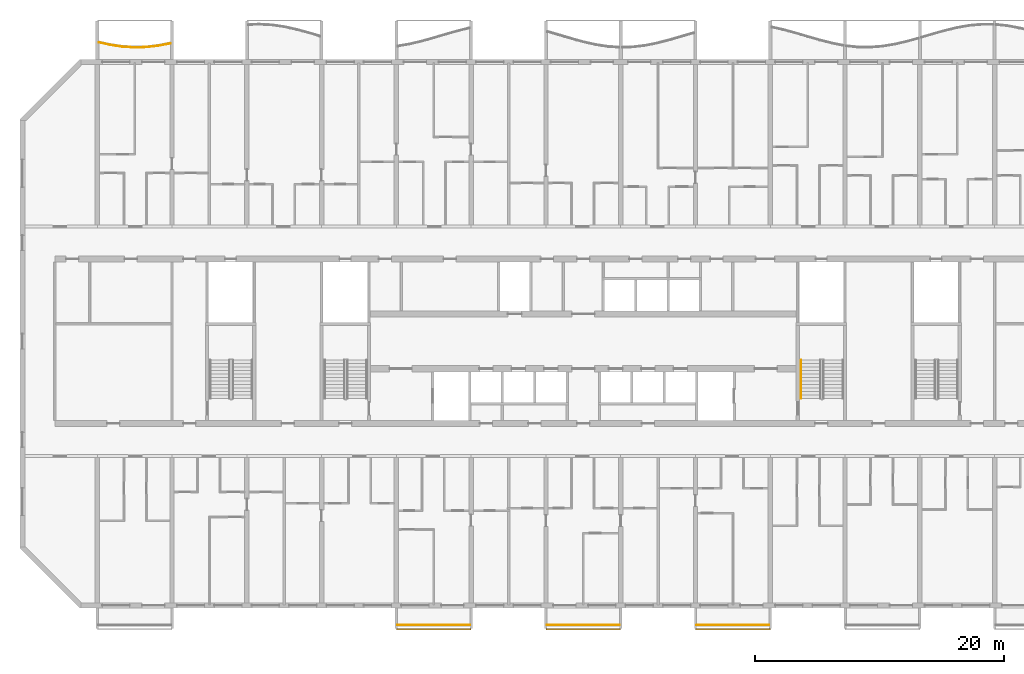
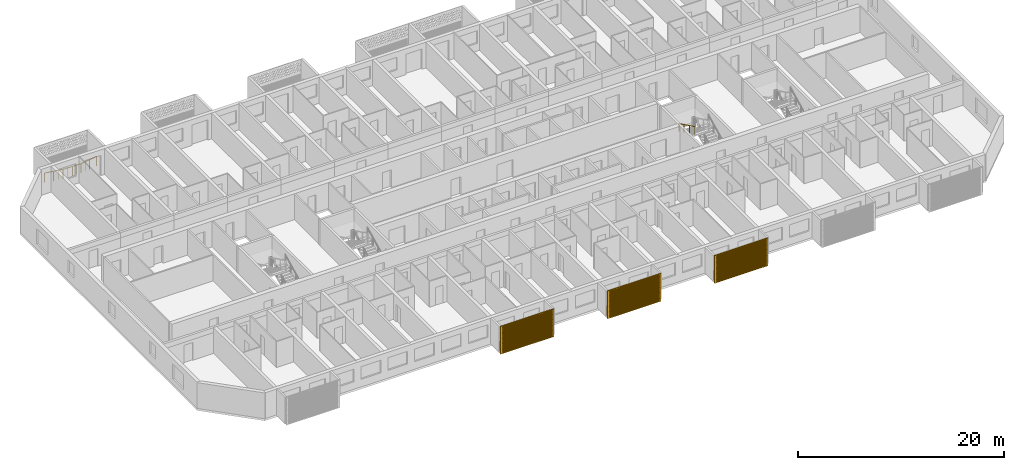
# One storey, part 18 of 26: 5 railings, 3 shading devices.
"""IFC4 building model written with IfcOpenShell, lengths in metres."""

from ifc_helpers import new_model, si_unit, direction, frame, origin, origin_2d, place, context, subcontext, project, spatial, polyline, circle, outline, extrude, source, transform, mapped, material, material_profile, profile_set, type_object, element, save


model = new_model("IFC4")

# Units and contexts
model_context = context("Model", 3, precision=1e-05, world=origin(), true_north=direction((0.0, 1.0)))
body_context = subcontext(model_context, "Body", "Model", "MODEL_VIEW")
ifc_project = project(units=[si_unit("LENGTHUNIT", "METRE"), si_unit("AREAUNIT", "SQUARE_METRE"), si_unit("VOLUMEUNIT", "CUBIC_METRE"), si_unit("PLANEANGLEUNIT", "RADIAN"), si_unit("MASSUNIT", "GRAM", prefix="KILO")], contexts=[model_context])

# Site, building, storey
site_placement = place(None, origin())
site = spatial("IfcSite", under=ifc_project, at=site_placement, CompositionType="ELEMENT")
building_placement = place(site_placement, origin())
building = spatial("IfcBuilding", under=site, at=building_placement, Name="Poui Terraces", CompositionType="ELEMENT")
storey_placement = place(building_placement, frame((0.0, 0.0, 96.0)))
storey = spatial("IfcBuildingStorey", under=building, at=storey_placement, Name="L26", CompositionType="ELEMENT", Elevation=96.0)

# Railings
ifc_material_1 = material(Name="Painted steel fretwork", Category="steel")
railing_type_1 = type_object("IfcRailingType", Name="BALCONY GUARD 1100", PredefinedType="GUARDRAIL", material=ifc_material_1)
railing_1_placement = place(storey_placement, frame((12.125, 45.1796875, 0.0)))
element("IfcRailing", 1, at=railing_1_placement, inside=storey, type_object=railing_type_1, Name="BALCONY GUARD", PredefinedType="GUARDRAIL", context=body_context, shape_type="SweptSolid", body=[
    extrude(circle(Radius=0.02392578125, at=origin_2d()), frame((0.0, 0.0, 1.076171875), z_axis=(0.976442797021, -0.215776421663, 0.0), x_axis=(0.215776421663, 0.976442797021, 0.0)), (0.0, 0.0, 1.0), 0.89599609375),
    extrude(circle(Radius=0.02392578125, at=origin_2d()), frame((0.875, -0.193359375, 1.076171875), z_axis=(0.988701415616, -0.149898334741, 0.0), x_axis=(0.149898334741, 0.988701415616, 0.0)), (0.0, 0.0, 1.0), 1.011474609375),
    extrude(circle(Radius=0.02392578125, at=origin_2d()), frame((1.875, -0.344970703125, 1.076171875), z_axis=(0.997991430779, -0.06334906543, 0.0), x_axis=(0.06334906543, 0.997991430779, 0.0)), (0.0, 0.0, 1.0), 1.001953125),
    extrude(circle(Radius=0.02392578125, at=origin_2d()), frame((2.875, -0.408447265625, 1.076171875), z_axis=(0.999496720941, 0.031722308038, 0.0), x_axis=(-0.031722308038, 0.999496720941, 0.0)), (0.0, 0.0, 1.0), 1.00048828125),
    extrude(circle(Radius=0.02392578125, at=origin_2d()), frame((3.875, -0.376708984375, 1.076171875), z_axis=(0.992426262271, 0.122841824944, 0.0), x_axis=(-0.122841824944, 0.992426262271, 0.0)), (0.0, 0.0, 1.0), 1.007568359375),
    extrude(circle(Radius=0.02392578125, at=origin_2d()), frame((4.875, -0.2529296875, 1.076171875), z_axis=(0.980884751127, 0.19458958093, 0.0), x_axis=(-0.19458958093, 0.980884751127, 0.0)), (0.0, 0.0, 1.0), 0.89208984375),
    extrude(circle(Radius=0.02099609375, at=origin_2d()), origin(), (0.0, 0.0, 1.0), 1.052001953125),
    extrude(circle(Radius=0.02099609375, at=origin_2d()), frame((0.875, -0.193359375, 0.0)), (0.0, 0.0, 1.0), 1.052001953125),
    extrude(circle(Radius=0.02099609375, at=origin_2d()), frame((1.375, -0.26904296875, 0.0)), (0.0, 0.0, 1.0), 1.052001953125),
    extrude(circle(Radius=0.02099609375, at=origin_2d()), frame((1.875, -0.344970703125, 0.0)), (0.0, 0.0, 1.0), 1.052001953125),
    extrude(circle(Radius=0.02099609375, at=origin_2d()), frame((2.375, -0.376708984375, 0.0)), (0.0, 0.0, 1.0), 1.052001953125),
    extrude(circle(Radius=0.02099609375, at=origin_2d()), frame((2.875, -0.408447265625, 0.0)), (0.0, 0.0, 1.0), 1.052001953125),
    extrude(circle(Radius=0.02099609375, at=origin_2d()), frame((3.375, -0.392578125, 0.0)), (0.0, 0.0, 1.0), 1.052001953125),
    extrude(circle(Radius=0.02099609375, at=origin_2d()), frame((3.875, -0.376708984375, 0.0)), (0.0, 0.0, 1.0), 1.052001953125),
    extrude(circle(Radius=0.02099609375, at=origin_2d()), frame((4.375, -0.31494140625, 0.0)), (0.0, 0.0, 1.0), 1.052001953125),
    extrude(circle(Radius=0.02099609375, at=origin_2d()), frame((4.875, -0.2529296875, 0.0)), (0.0, 0.0, 1.0), 1.052001953125),
    extrude(circle(Radius=0.02099609375, at=origin_2d()), frame((5.75, -0.079345703125, 0.0)), (0.0, 0.0, 1.0), 1.052001953125),
])
for number, where, name in (
    (2, (36.10009765625, -1.570068359375, 0.0), "BALCONY GUARD"),
    (3, (48.10009765625, -1.570068359375, 0.0), "BALCONY GUARD"),
    (4, (60.10009765625, -1.570068359375, 0.0), "BALCONY GUARD"),
):
    element("IfcRailing", number, at=place(storey_placement, frame(where)), inside=storey, type_object=railing_type_1, Name=name, PredefinedType="GUARDRAIL", context=body_context, shape_type="SweptSolid", body=[
        extrude(circle(Radius=0.02392578125, at=origin_2d()), frame((0.0, 0.0, 1.076171875), z_axis=(1.0, 0.0, 0.0), x_axis=(0.0, 1.0, 0.0)), (0.0, 0.0, 1.0), 5.7998046875),
        extrude(circle(Radius=0.02099609375, at=origin_2d()), origin(), (0.0, 0.0, 1.0), 1.052001953125),
        extrude(circle(Radius=0.02099609375, at=origin_2d()), frame((0.966552734375, 0.0, 0.0)), (0.0, 0.0, 1.0), 1.052001953125),
        extrude(circle(Radius=0.02099609375, at=origin_2d()), frame((1.933349609375, 0.0, 0.0)), (0.0, 0.0, 1.0), 1.052001953125),
        extrude(circle(Radius=0.02099609375, at=origin_2d()), frame((2.89990234375, 0.0, 0.0)), (0.0, 0.0, 1.0), 1.052001953125),
        extrude(circle(Radius=0.02099609375, at=origin_2d()), frame((3.866455078125, 0.0, 0.0)), (0.0, 0.0, 1.0), 1.052001953125),
        extrude(circle(Radius=0.02099609375, at=origin_2d()), frame((4.833251953125, 0.0, 0.0)), (0.0, 0.0, 1.0), 1.052001953125),
        extrude(circle(Radius=0.02099609375, at=origin_2d()), frame((5.7998046875, 0.0, 0.0)), (0.0, 0.0, 1.0), 1.052001953125),
    ])
ifc_material_2 = material(Name="Stainless steel handrail", Category="steel")
railing_type_2 = type_object("IfcRailingType", Name="STAIR HANDRAIL 900", PredefinedType="HANDRAIL", material=ifc_material_2)
railing_2_placement = place(storey_placement, frame((68.47509765625, 19.679931640625, 1.78759765625)))
element("IfcRailing", 5, at=railing_2_placement, inside=storey, type_object=railing_type_2, Name="L26 ST-CE stair handrail 2", PredefinedType="HANDRAIL", context=body_context, shape_type="SweptSolid", body=[
    extrude(circle(Radius=0.02392578125, at=origin_2d()), frame((0.0, 0.0, 0.8759765625), z_axis=(0.0, -0.897606190399, 0.440798283751), x_axis=(1.0, 0.0, 0.0)), (0.0, 0.0, 1.0), 3.43115234375),
    extrude(circle(Radius=0.02099609375, at=origin_2d()), origin(), (0.0, 0.0, 1.0), 0.851806640625),
    extrude(circle(Radius=0.02099609375, at=origin_2d()), frame((0.0, -1.026611328125, 0.504150390625)), (0.0, 0.0, 1.0), 0.851806640625),
    extrude(circle(Radius=0.02099609375, at=origin_2d()), frame((0.0, -2.05322265625, 1.00830078125)), (0.0, 0.0, 1.0), 0.851806640625),
    extrude(circle(Radius=0.02099609375, at=origin_2d()), frame((0.0, -3.079833984375, 1.512451171875)), (0.0, 0.0, 1.0), 0.851806640625),
])

# Shading devices
ifc_material_3 = material(Name="Aluminium louvre", Category="aluminium")
ifc_material_profile = material_profile(ifc_material_3, outline(polyline([(-3.0, -1.64990234375), (3.0, -1.64990234375), (3.0, 1.64990234375), (-3.0, 1.64990234375), (-3.0, -1.64990234375)]), holes=[polyline([(-2.800048828125, -1.530029296875), (2.800048828125, -1.530029296875), (2.800048828125, -1.469970703125), (-2.800048828125, -1.469970703125), (-2.800048828125, -1.530029296875)]), polyline([(-2.800048828125, -1.429931640625), (2.800048828125, -1.429931640625), (2.800048828125, -1.3701171875), (-2.800048828125, -1.3701171875), (-2.800048828125, -1.429931640625)]), polyline([(-2.800048828125, -1.330078125), (2.800048828125, -1.330078125), (2.800048828125, -1.27001953125), (-2.800048828125, -1.27001953125), (-2.800048828125, -1.330078125)]), polyline([(-2.800048828125, -1.22998046875), (2.800048828125, -1.22998046875), (2.800048828125, -1.169921875), (-2.800048828125, -1.169921875), (-2.800048828125, -1.22998046875)]), polyline([(-2.800048828125, -1.1298828125), (2.800048828125, -1.1298828125), (2.800048828125, -1.070068359375), (-2.800048828125, -1.070068359375), (-2.800048828125, -1.1298828125)]), polyline([(-2.800048828125, -1.030029296875), (2.800048828125, -1.030029296875), (2.800048828125, -0.969970703125), (-2.800048828125, -0.969970703125), (-2.800048828125, -1.030029296875)]), polyline([(-2.800048828125, -0.929931640625), (2.800048828125, -0.929931640625), (2.800048828125, -0.8701171875), (-2.800048828125, -0.8701171875), (-2.800048828125, -0.929931640625)]), polyline([(-2.800048828125, -0.830078125), (2.800048828125, -0.830078125), (2.800048828125, -0.77001953125), (-2.800048828125, -0.77001953125), (-2.800048828125, -0.830078125)]), polyline([(-2.800048828125, -0.72998046875), (2.800048828125, -0.72998046875), (2.800048828125, -0.669921875), (-2.800048828125, -0.669921875), (-2.800048828125, -0.72998046875)]), polyline([(-2.800048828125, -0.6298828125), (2.800048828125, -0.6298828125), (2.800048828125, -0.570068359375), (-2.800048828125, -0.570068359375), (-2.800048828125, -0.6298828125)]), polyline([(-2.800048828125, -0.530029296875), (2.800048828125, -0.530029296875), (2.800048828125, -0.469970703125), (-2.800048828125, -0.469970703125), (-2.800048828125, -0.530029296875)]), polyline([(-2.800048828125, -0.429931640625), (2.800048828125, -0.429931640625), (2.800048828125, -0.3701171875), (-2.800048828125, -0.3701171875), (-2.800048828125, -0.429931640625)]), polyline([(-2.800048828125, -0.330078125), (2.800048828125, -0.330078125), (2.800048828125, -0.27001953125), (-2.800048828125, -0.27001953125), (-2.800048828125, -0.330078125)]), polyline([(-2.800048828125, -0.22998046875), (2.800048828125, -0.22998046875), (2.800048828125, -0.169921875), (-2.800048828125, -0.169921875), (-2.800048828125, -0.22998046875)]), polyline([(-2.800048828125, -0.1298828125), (2.800048828125, -0.1298828125), (2.800048828125, -0.070068359375), (-2.800048828125, -0.070068359375), (-2.800048828125, -0.1298828125)]), polyline([(-2.800048828125, -0.030029296875), (2.800048828125, -0.030029296875), (2.800048828125, 0.030029296875), (-2.800048828125, 0.030029296875), (-2.800048828125, -0.030029296875)]), polyline([(-2.800048828125, 0.070068359375), (2.800048828125, 0.070068359375), (2.800048828125, 0.1298828125), (-2.800048828125, 0.1298828125), (-2.800048828125, 0.070068359375)]), polyline([(-2.800048828125, 0.169921875), (2.800048828125, 0.169921875), (2.800048828125, 0.22998046875), (-2.800048828125, 0.22998046875), (-2.800048828125, 0.169921875)]), polyline([(-2.800048828125, 0.27001953125), (2.800048828125, 0.27001953125), (2.800048828125, 0.330078125), (-2.800048828125, 0.330078125), (-2.800048828125, 0.27001953125)]), polyline([(-2.800048828125, 0.3701171875), (2.800048828125, 0.3701171875), (2.800048828125, 0.429931640625), (-2.800048828125, 0.429931640625), (-2.800048828125, 0.3701171875)]), polyline([(-2.800048828125, 0.469970703125), (2.800048828125, 0.469970703125), (2.800048828125, 0.530029296875), (-2.800048828125, 0.530029296875), (-2.800048828125, 0.469970703125)]), polyline([(-2.800048828125, 0.570068359375), (2.800048828125, 0.570068359375), (2.800048828125, 0.6298828125), (-2.800048828125, 0.6298828125), (-2.800048828125, 0.570068359375)]), polyline([(-2.800048828125, 0.669921875), (2.800048828125, 0.669921875), (2.800048828125, 0.72998046875), (-2.800048828125, 0.72998046875), (-2.800048828125, 0.669921875)]), polyline([(-2.800048828125, 0.77001953125), (2.800048828125, 0.77001953125), (2.800048828125, 0.830078125), (-2.800048828125, 0.830078125), (-2.800048828125, 0.77001953125)]), polyline([(-2.800048828125, 0.8701171875), (2.800048828125, 0.8701171875), (2.800048828125, 0.929931640625), (-2.800048828125, 0.929931640625), (-2.800048828125, 0.8701171875)]), polyline([(-2.800048828125, 0.969970703125), (2.800048828125, 0.969970703125), (2.800048828125, 1.030029296875), (-2.800048828125, 1.030029296875), (-2.800048828125, 0.969970703125)]), polyline([(-2.800048828125, 1.070068359375), (2.800048828125, 1.070068359375), (2.800048828125, 1.1298828125), (-2.800048828125, 1.1298828125), (-2.800048828125, 1.070068359375)]), polyline([(-2.800048828125, 1.169921875), (2.800048828125, 1.169921875), (2.800048828125, 1.22998046875), (-2.800048828125, 1.22998046875), (-2.800048828125, 1.169921875)]), polyline([(-2.800048828125, 1.27001953125), (2.800048828125, 1.27001953125), (2.800048828125, 1.330078125), (-2.800048828125, 1.330078125), (-2.800048828125, 1.27001953125)]), polyline([(-2.800048828125, 1.3701171875), (2.800048828125, 1.3701171875), (2.800048828125, 1.429931640625), (-2.800048828125, 1.429931640625), (-2.800048828125, 1.3701171875)]), polyline([(-2.800048828125, 1.469970703125), (2.800048828125, 1.469970703125), (2.800048828125, 1.530029296875), (-2.800048828125, 1.530029296875), (-2.800048828125, 1.469970703125)])]), Name="JALOUSIE LOUVRE SHUTTER 6000X3300")
ifc_profile_set = profile_set([ifc_material_profile], Name="Aluminium louvre")
shading_device_type = type_object("IfcShadingDeviceType", Name="JALOUSIE LOUVRE SHUTTER 6000X3300", PredefinedType="JALOUSIE", material=ifc_profile_set)
shared_shape = source(origin(), body_context, "Body", "SweptSolid", [
    extrude(outline(polyline([(-3.0, -1.64990234375), (3.0, -1.64990234375), (3.0, 1.64990234375), (-3.0, 1.64990234375), (-3.0, -1.64990234375)]), holes=[polyline([(-2.800048828125, -1.530029296875), (2.800048828125, -1.530029296875), (2.800048828125, -1.469970703125), (-2.800048828125, -1.469970703125), (-2.800048828125, -1.530029296875)]), polyline([(-2.800048828125, -1.429931640625), (2.800048828125, -1.429931640625), (2.800048828125, -1.3701171875), (-2.800048828125, -1.3701171875), (-2.800048828125, -1.429931640625)]), polyline([(-2.800048828125, -1.330078125), (2.800048828125, -1.330078125), (2.800048828125, -1.27001953125), (-2.800048828125, -1.27001953125), (-2.800048828125, -1.330078125)]), polyline([(-2.800048828125, -1.22998046875), (2.800048828125, -1.22998046875), (2.800048828125, -1.169921875), (-2.800048828125, -1.169921875), (-2.800048828125, -1.22998046875)]), polyline([(-2.800048828125, -1.1298828125), (2.800048828125, -1.1298828125), (2.800048828125, -1.070068359375), (-2.800048828125, -1.070068359375), (-2.800048828125, -1.1298828125)]), polyline([(-2.800048828125, -1.030029296875), (2.800048828125, -1.030029296875), (2.800048828125, -0.969970703125), (-2.800048828125, -0.969970703125), (-2.800048828125, -1.030029296875)]), polyline([(-2.800048828125, -0.929931640625), (2.800048828125, -0.929931640625), (2.800048828125, -0.8701171875), (-2.800048828125, -0.8701171875), (-2.800048828125, -0.929931640625)]), polyline([(-2.800048828125, -0.830078125), (2.800048828125, -0.830078125), (2.800048828125, -0.77001953125), (-2.800048828125, -0.77001953125), (-2.800048828125, -0.830078125)]), polyline([(-2.800048828125, -0.72998046875), (2.800048828125, -0.72998046875), (2.800048828125, -0.669921875), (-2.800048828125, -0.669921875), (-2.800048828125, -0.72998046875)]), polyline([(-2.800048828125, -0.6298828125), (2.800048828125, -0.6298828125), (2.800048828125, -0.570068359375), (-2.800048828125, -0.570068359375), (-2.800048828125, -0.6298828125)]), polyline([(-2.800048828125, -0.530029296875), (2.800048828125, -0.530029296875), (2.800048828125, -0.469970703125), (-2.800048828125, -0.469970703125), (-2.800048828125, -0.530029296875)]), polyline([(-2.800048828125, -0.429931640625), (2.800048828125, -0.429931640625), (2.800048828125, -0.3701171875), (-2.800048828125, -0.3701171875), (-2.800048828125, -0.429931640625)]), polyline([(-2.800048828125, -0.330078125), (2.800048828125, -0.330078125), (2.800048828125, -0.27001953125), (-2.800048828125, -0.27001953125), (-2.800048828125, -0.330078125)]), polyline([(-2.800048828125, -0.22998046875), (2.800048828125, -0.22998046875), (2.800048828125, -0.169921875), (-2.800048828125, -0.169921875), (-2.800048828125, -0.22998046875)]), polyline([(-2.800048828125, -0.1298828125), (2.800048828125, -0.1298828125), (2.800048828125, -0.070068359375), (-2.800048828125, -0.070068359375), (-2.800048828125, -0.1298828125)]), polyline([(-2.800048828125, -0.030029296875), (2.800048828125, -0.030029296875), (2.800048828125, 0.030029296875), (-2.800048828125, 0.030029296875), (-2.800048828125, -0.030029296875)]), polyline([(-2.800048828125, 0.070068359375), (2.800048828125, 0.070068359375), (2.800048828125, 0.1298828125), (-2.800048828125, 0.1298828125), (-2.800048828125, 0.070068359375)]), polyline([(-2.800048828125, 0.169921875), (2.800048828125, 0.169921875), (2.800048828125, 0.22998046875), (-2.800048828125, 0.22998046875), (-2.800048828125, 0.169921875)]), polyline([(-2.800048828125, 0.27001953125), (2.800048828125, 0.27001953125), (2.800048828125, 0.330078125), (-2.800048828125, 0.330078125), (-2.800048828125, 0.27001953125)]), polyline([(-2.800048828125, 0.3701171875), (2.800048828125, 0.3701171875), (2.800048828125, 0.429931640625), (-2.800048828125, 0.429931640625), (-2.800048828125, 0.3701171875)]), polyline([(-2.800048828125, 0.469970703125), (2.800048828125, 0.469970703125), (2.800048828125, 0.530029296875), (-2.800048828125, 0.530029296875), (-2.800048828125, 0.469970703125)]), polyline([(-2.800048828125, 0.570068359375), (2.800048828125, 0.570068359375), (2.800048828125, 0.6298828125), (-2.800048828125, 0.6298828125), (-2.800048828125, 0.570068359375)]), polyline([(-2.800048828125, 0.669921875), (2.800048828125, 0.669921875), (2.800048828125, 0.72998046875), (-2.800048828125, 0.72998046875), (-2.800048828125, 0.669921875)]), polyline([(-2.800048828125, 0.77001953125), (2.800048828125, 0.77001953125), (2.800048828125, 0.830078125), (-2.800048828125, 0.830078125), (-2.800048828125, 0.77001953125)]), polyline([(-2.800048828125, 0.8701171875), (2.800048828125, 0.8701171875), (2.800048828125, 0.929931640625), (-2.800048828125, 0.929931640625), (-2.800048828125, 0.8701171875)]), polyline([(-2.800048828125, 0.969970703125), (2.800048828125, 0.969970703125), (2.800048828125, 1.030029296875), (-2.800048828125, 1.030029296875), (-2.800048828125, 0.969970703125)]), polyline([(-2.800048828125, 1.070068359375), (2.800048828125, 1.070068359375), (2.800048828125, 1.1298828125), (-2.800048828125, 1.1298828125), (-2.800048828125, 1.070068359375)]), polyline([(-2.800048828125, 1.169921875), (2.800048828125, 1.169921875), (2.800048828125, 1.22998046875), (-2.800048828125, 1.22998046875), (-2.800048828125, 1.169921875)]), polyline([(-2.800048828125, 1.27001953125), (2.800048828125, 1.27001953125), (2.800048828125, 1.330078125), (-2.800048828125, 1.330078125), (-2.800048828125, 1.27001953125)]), polyline([(-2.800048828125, 1.3701171875), (2.800048828125, 1.3701171875), (2.800048828125, 1.429931640625), (-2.800048828125, 1.429931640625), (-2.800048828125, 1.3701171875)]), polyline([(-2.800048828125, 1.469970703125), (2.800048828125, 1.469970703125), (2.800048828125, 1.530029296875), (-2.800048828125, 1.530029296875), (-2.800048828125, 1.469970703125)])]), origin(), (0.0, 0.0, 1.0), 0.099853515625),
])
for number, where, z_axis, x_axis, name in (
    (6, (39.0, -1.85009765625, 1.449951171875), (0.0, -1.0, 0.0), (1.0, 0.0, 0.0), "JALOUSIE LOUVRE SHUTTER"),
    (7, (51.0, -1.85009765625, 1.449951171875), (0.0, -1.0, 0.0), (1.0, 0.0, 0.0), "JALOUSIE LOUVRE SHUTTER"),
    (8, (63.0, -1.85009765625, 1.449951171875), (0.0, -1.0, 0.0), (1.0, 0.0, 0.0), "JALOUSIE LOUVRE SHUTTER"),
):
    element("IfcShadingDevice", number, at=place(storey_placement, frame(where, z_axis=z_axis, x_axis=x_axis)), inside=storey, type_object=shading_device_type, Name=name, PredefinedType="JALOUSIE", context=body_context, shape_type="MappedRepresentation", body=[
        mapped(shared_shape, transform((0.0, 0.0, 0.0))),
    ])

save(model, "model.ifc")
